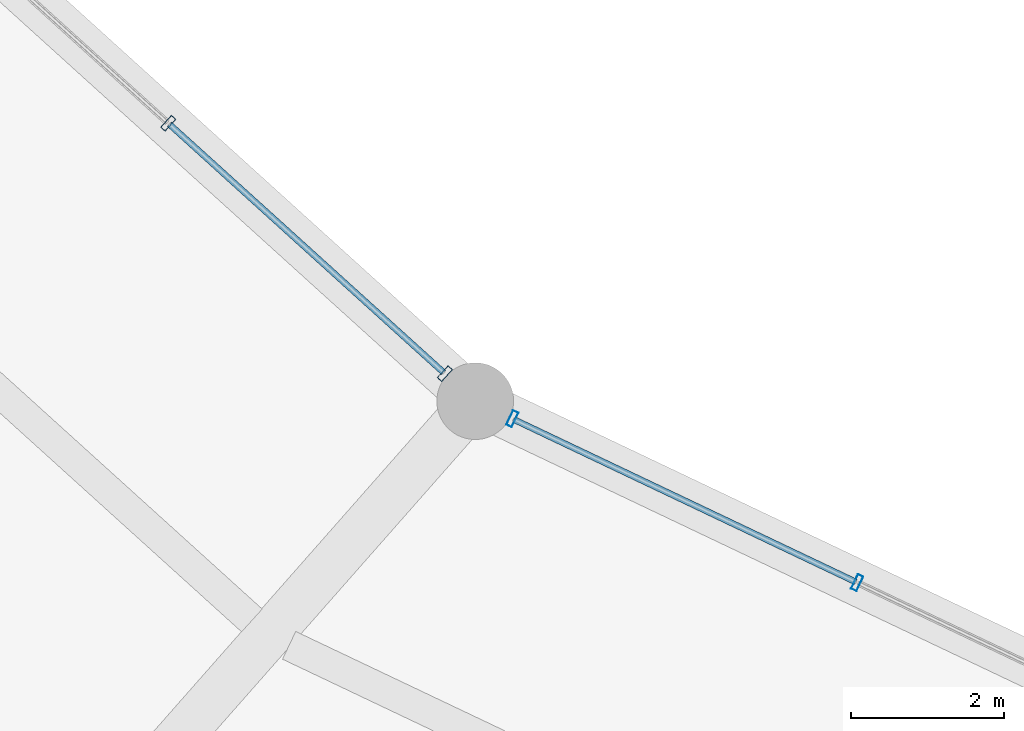
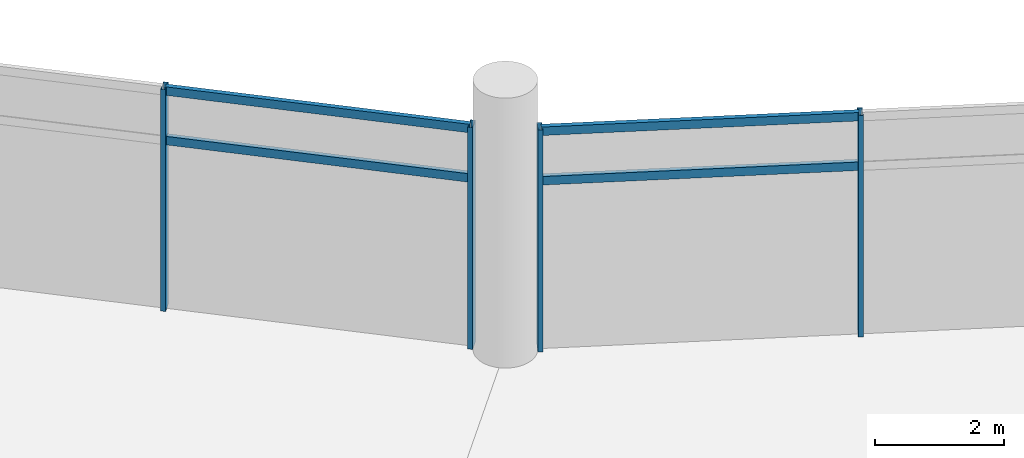
# One storey, part 13 of 184: 8 members, 2 elements without a shape of their own.
"""IFC4 building model written with IfcOpenShell, lengths in metres."""

from ifc_helpers import new_model, si_unit, direction, frame, origin, origin_2d, place, context, subcontext, project, spatial, hollow_rectangle, extrude, material, layer, layer_set, material_profile, profile_set, type_object, element, aggregate, save


model = new_model("IFC4")

# Units and contexts
model_context = context("Model", 3, precision=1e-05, world=origin(), true_north=direction((0.0, 1.0)))
body_context = subcontext(model_context, "Body", "Model", "MODEL_VIEW")
ifc_project = project(units=[si_unit("LENGTHUNIT", "METRE"), si_unit("AREAUNIT", "SQUARE_METRE"), si_unit("VOLUMEUNIT", "CUBIC_METRE"), si_unit("PLANEANGLEUNIT", "RADIAN"), si_unit("MASSUNIT", "GRAM", prefix="KILO")], contexts=[model_context])

# Site, building, storey
site_placement = place(None, origin())
site = spatial("IfcSite", under=ifc_project, at=site_placement, CompositionType="ELEMENT")
building_placement = place(site_placement, origin())
building = spatial("IfcBuilding", under=site, at=building_placement, Name="Kazemori Nagisa Stadium", CompositionType="ELEMENT")
storey_placement = place(building_placement, frame((0.0, 0.0, 10.5400390625)))
storey = spatial("IfcBuildingStorey", under=building, at=storey_placement, Name="L02", CompositionType="ELEMENT", Elevation=10.5400390625)

# Curtain wall, members
ifc_material_1 = material(Name="Anodised aluminium 6063-T5", Category="aluminium")
ifc_layer_1 = layer(ifc_material_1, 0.2099609375, Name="Anodised aluminium 6063-T5", Category="aluminium")
ifc_layer_set_1 = layer_set([ifc_layer_1], Name="Anodised aluminium 6063-T5")
curtain_wall_type_1 = type_object("IfcCurtainWallType", Name="CW_L02B_73", PredefinedType="USERDEFINED", material=ifc_layer_set_1)
curtain_wall_1_placement = place(storey_placement, origin())
curtain_wall_1 = element("IfcCurtainWall", 1, at=curtain_wall_1_placement, inside=storey, type_object=curtain_wall_type_1, Name="Unitised curtain wall CW-L02B-73 L02", ObjectType="UNITISED CURTAIN WALL", PredefinedType="USERDEFINED")
ifc_material_2 = material(Name="Aluminium 6063-T5 anodised", Category="aluminium")
ifc_material_profile_1 = material_profile(ifc_material_2, hollow_rectangle(XDim=0.080078125, YDim=0.2099609375, WallThickness=0.0048828125, at=origin_2d()), Name="ALU-MULL-80x210x5")
ifc_profile_set_1 = profile_set([ifc_material_profile_1], Name="Aluminium 6063-T5 anodised")
member_type_1 = type_object("IfcMemberType", Name="Mullion_M02", PredefinedType="MULLION", material=ifc_profile_set_1)
member_1_placement = place(storey_placement, frame((73.302978515625, 53.74853515625, 0.0), z_axis=(0.0, 0.0, 1.0), x_axis=(0.741350875443, -0.671117634607, 0.0)))
member_1 = element("IfcMember", 2, at=member_1_placement, type_object=member_type_1, Name="Curtain wall mullion CW-L02B-73-M3", PredefinedType="MULLION", context=body_context, shape_type="SweptSolid", body=[
    extrude(hollow_rectangle(XDim=0.080078125, YDim=0.2099609375, WallThickness=0.0048828125, at=origin_2d()), origin(), (0.0, 0.0, 1.0), 4.18994140625),
])
member_2_placement = place(storey_placement, frame((76.90673828125, 50.486083984375, 0.0), z_axis=(0.0, 0.0, 1.0), x_axis=(0.741350875443, -0.671117634607, 0.0)))
member_2 = element("IfcMember", 3, at=member_2_placement, type_object=member_type_1, Name="Curtain wall mullion CW-L02B-73-M4", PredefinedType="MULLION", context=body_context, shape_type="SweptSolid", body=[
    extrude(hollow_rectangle(XDim=0.080078125, YDim=0.2099609375, WallThickness=0.0048828125, at=origin_2d()), origin(), (0.0, 0.0, 1.0), 4.18994140625),
])

ifc_layer_2 = layer(ifc_material_1, 0.2099609375, Name="Anodised aluminium 6063-T5", Category="aluminium")
ifc_layer_set_2 = layer_set([ifc_layer_2], Name="Anodised aluminium 6063-T5")
curtain_wall_type_2 = type_object("IfcCurtainWallType", Name="CW_L02B_75", PredefinedType="USERDEFINED", material=ifc_layer_set_2)
curtain_wall_2_placement = place(storey_placement, origin())
curtain_wall_2 = element("IfcCurtainWall", 4, at=curtain_wall_2_placement, inside=storey, type_object=curtain_wall_type_2, Name="Unitised curtain wall CW-L02B-75 L02", ObjectType="UNITISED CURTAIN WALL", PredefinedType="USERDEFINED")
member_3_placement = place(storey_placement, frame((77.78662109375, 49.897216796875, 0.0), z_axis=(0.0, 0.0, 1.0), x_axis=(0.903215892654, -0.429186499388, 0.0)))
member_3 = element("IfcMember", 5, at=member_3_placement, type_object=member_type_1, Name="Curtain wall mullion CW-L02B-75-M1", PredefinedType="MULLION", context=body_context, shape_type="SweptSolid", body=[
    extrude(hollow_rectangle(XDim=0.080078125, YDim=0.2099609375, WallThickness=0.0048828125, at=origin_2d()), origin(), (0.0, 0.0, 1.0), 4.18994140625),
])
member_4_placement = place(storey_placement, frame((82.281005859375, 47.76171875, 0.0), z_axis=(0.0, 0.0, 1.0), x_axis=(0.903215892654, -0.429186499388, 0.0)))
member_4 = element("IfcMember", 6, at=member_4_placement, type_object=member_type_1, Name="Curtain wall mullion CW-L02B-75-M2", PredefinedType="MULLION", context=body_context, shape_type="SweptSolid", body=[
    extrude(hollow_rectangle(XDim=0.080078125, YDim=0.2099609375, WallThickness=0.0048828125, at=origin_2d()), origin(), (0.0, 0.0, 1.0), 4.18994140625),
])

# Member
ifc_material_profile_2 = material_profile(ifc_material_2, hollow_rectangle(XDim=0.080078125, YDim=0.159912109375, WallThickness=0.00390625, at=origin_2d()), Name="ALU-TRAN-80x160x4")
ifc_profile_set_2 = profile_set([ifc_material_profile_2], Name="Aluminium 6063-T5 anodised")
member_type_2 = type_object("IfcMemberType", Name="Transom_T02", PredefinedType="USERDEFINED", material=ifc_profile_set_2)
member_5_placement = place(storey_placement, frame((73.317626953125, 53.735107421875, 3.184326171875), z_axis=(0.741375007746, -0.671090975866, 0.0), x_axis=(0.671090975866, 0.741375007746, 0.0)))
member_5 = element("IfcMember", 7, at=member_5_placement, type_object=member_type_2, Name="Curtain wall transom CW-L02B-73-T3-mid", ObjectType="TRANSOM", PredefinedType="USERDEFINED", context=body_context, shape_type="SweptSolid", body=[
    extrude(hollow_rectangle(XDim=0.080078125, YDim=0.159912109375, WallThickness=0.00390625, at=origin_2d()), origin(), (0.0, 0.0, 1.0), 4.8212890625),
])

member_6_placement = place(storey_placement, frame((73.317626953125, 53.735107421875, 4.119873046875), z_axis=(0.741375007746, -0.671090975866, 0.0), x_axis=(0.671090975866, 0.741375007746, 0.0)))
member_6 = element("IfcMember", 8, at=member_6_placement, type_object=member_type_2, Name="Curtain wall transom CW-L02B-73-T3-head", ObjectType="TRANSOM", PredefinedType="USERDEFINED", context=body_context, shape_type="SweptSolid", body=[
    extrude(hollow_rectangle(XDim=0.080078125, YDim=0.159912109375, WallThickness=0.00390625, at=origin_2d()), origin(), (0.0, 0.0, 1.0), 4.8212890625),
])

aggregate(curtain_wall_1, [member_1, member_2, member_5, member_6])

member_7_placement = place(storey_placement, frame((77.8046875, 49.888671875, 3.184326171875), z_axis=(0.903219509173, -0.429178888401, 0.0), x_axis=(0.429178888401, 0.903219509173, 0.0)))
member_7 = element("IfcMember", 9, at=member_7_placement, type_object=member_type_2, Name="Curtain wall transom CW-L02B-75-T1-mid", ObjectType="TRANSOM", PredefinedType="USERDEFINED", context=body_context, shape_type="SweptSolid", body=[
    extrude(hollow_rectangle(XDim=0.080078125, YDim=0.159912109375, WallThickness=0.00390625, at=origin_2d()), origin(), (0.0, 0.0, 1.0), 4.93603515625),
])

member_8_placement = place(storey_placement, frame((77.8046875, 49.888671875, 4.119873046875), z_axis=(0.903219509173, -0.429178888401, 0.0), x_axis=(0.429178888401, 0.903219509173, 0.0)))
member_8 = element("IfcMember", 10, at=member_8_placement, type_object=member_type_2, Name="Curtain wall transom CW-L02B-75-T1-head", ObjectType="TRANSOM", PredefinedType="USERDEFINED", context=body_context, shape_type="SweptSolid", body=[
    extrude(hollow_rectangle(XDim=0.080078125, YDim=0.159912109375, WallThickness=0.00390625, at=origin_2d()), origin(), (0.0, 0.0, 1.0), 4.93603515625),
])

aggregate(curtain_wall_2, [member_3, member_4, member_7, member_8])

save(model, "model.ifc")
